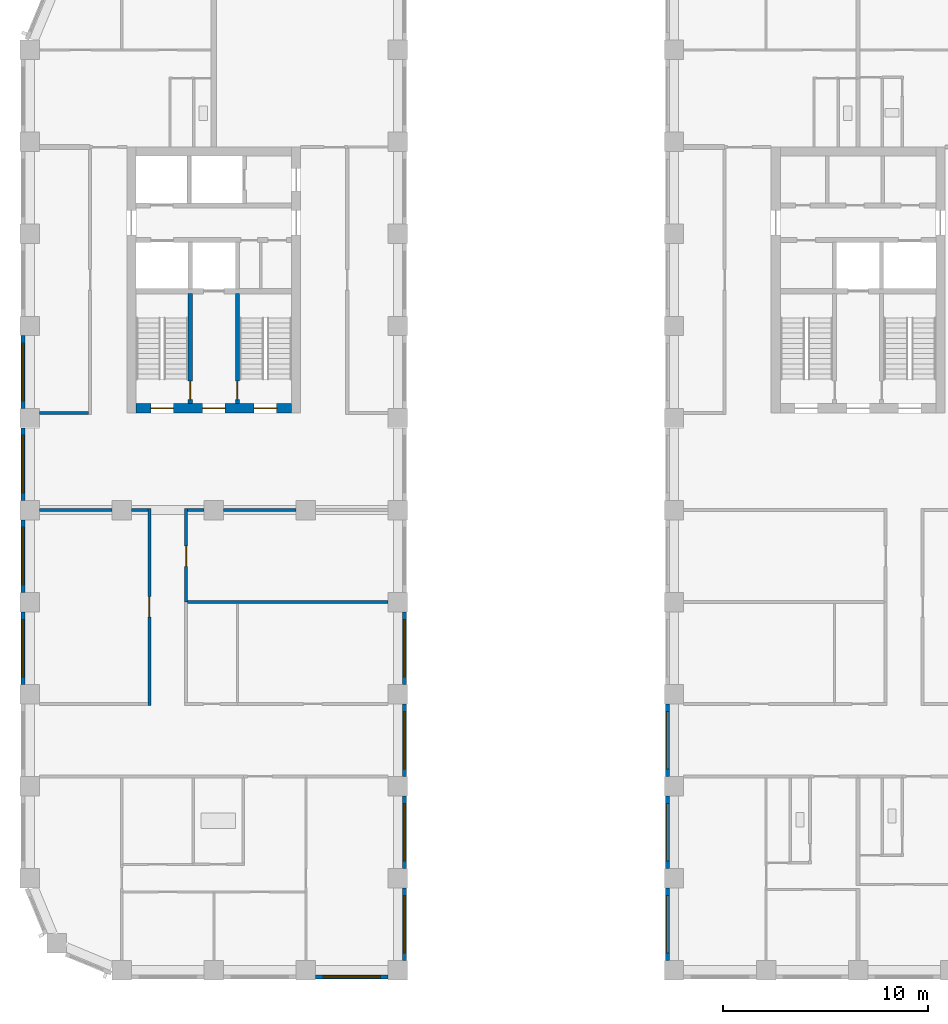
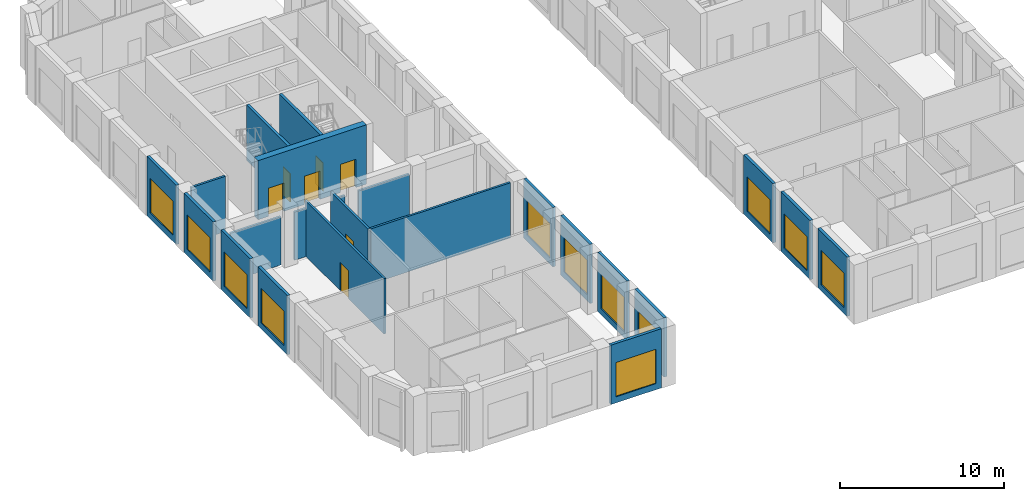
# One storey, part 3 of 12: 23 walls, 12 windows, 7 doors, 19 openings.
"""IFC4 building model written with IfcOpenShell, lengths in metres."""

from ifc_helpers import new_model, si_unit, direction, frame, frame_2d, origin, place, context, subcontext, project, spatial, rectangle, extrude, material, layer, layer_set, type_object, element, fill, save


model = new_model("IFC4")

# Units and contexts
model_context = context("Model", 3, precision=1e-05, world=origin(), true_north=direction((0.0, 1.0)))
body_context = subcontext(model_context, "Body", "Model", "MODEL_VIEW")
ifc_project = project(units=[si_unit("LENGTHUNIT", "METRE"), si_unit("AREAUNIT", "SQUARE_METRE"), si_unit("VOLUMEUNIT", "CUBIC_METRE"), si_unit("PLANEANGLEUNIT", "RADIAN"), si_unit("MASSUNIT", "GRAM", prefix="KILO")], contexts=[model_context])

# Site, building, storey
site_placement = place(None, origin())
site = spatial("IfcSite", under=ifc_project, at=site_placement, CompositionType="ELEMENT")
building_placement = place(site_placement, origin())
building = spatial("IfcBuilding", under=site, at=building_placement, Name="Girih Gate Residences", CompositionType="ELEMENT")
storey_placement = place(building_placement, frame((0.0, 0.0, 155.0)))
storey = spatial("IfcBuildingStorey", under=building, at=storey_placement, Name="L43", CompositionType="ELEMENT", Elevation=155.0)

# Walls
ifc_material_1 = material(Name="Gypsum board on steel studs", Category="steel")
ifc_layer_1 = layer(ifc_material_1, 0.14990234375)
ifc_layer_set_1 = layer_set([ifc_layer_1], Name="Compartment wall 150 mm")
wall_type_1 = type_object("IfcWallType", Name="Compartment wall 150 mm", PredefinedType="PARTITIONING", material=ifc_layer_set_1)
wall_1_placement = place(storey_placement, frame((7.72509765625, 22.5, 0.0), z_axis=(0.0, 0.0, 1.0), x_axis=(1.0, 0.0, 0.0)))
element("IfcWall", 1, at=wall_1_placement, inside=storey, type_object=wall_type_1, Name="L43 partition", PredefinedType="PARTITIONING", context=body_context, shape_type="SweptSolid", body=[
    extrude(rectangle(XDim=0.7998046875, YDim=0.14990234375, at=frame_2d((0.39990234375, 0.0))), origin(), (0.0, 0.0, 1.0), 3.580078125),
])
wall_2_placement = place(storey_placement, frame((9.47509765625, 22.5, 0.0), z_axis=(0.0, 0.0, 1.0), x_axis=(1.0, 0.0, 0.0)))
element("IfcWall", 2, at=wall_2_placement, inside=storey, type_object=wall_type_1, Name="L43 partition", PredefinedType="PARTITIONING", context=body_context, shape_type="SweptSolid", body=[
    extrude(rectangle(XDim=3.5498046875, YDim=0.14990234375, at=frame_2d((1.77490234375, 0.0))), origin(), (0.0, 0.0, 1.0), 3.580078125),
])

# Wall, opening, door
wall_3_placement = place(storey_placement, frame((7.64990234375, 22.574951171875, 0.0), z_axis=(0.0, 0.0, 1.0), x_axis=(0.0, -1.0, 0.0)))
wall_3 = element("IfcWall", 3, at=wall_3_placement, inside=storey, type_object=wall_type_1, Name="L43 partition", PredefinedType="PARTITIONING", context=body_context, shape_type="SweptSolid", body=[
    extrude(rectangle(XDim=4.574951171875, YDim=0.14990234375, at=frame_2d((2.28759765625, 0.0))), origin(), (0.0, 0.0, 1.0), 4.10009765625),
])
opening_1_placement = place(wall_3_placement, frame((1.824951171875, 0.0, 0.0)))
opening_1 = element("IfcOpeningElement", 4, at=opening_1_placement, cuts=wall_3, Name="Opening A43-034", PredefinedType="OPENING", context=body_context, shape_type="SweptSolid", body=[
    extrude(rectangle(XDim=1.0, YDim=2.10009765625, at=frame_2d((0.5, 1.050048828125))), frame((0.0, 0.0849609375, 0.0), z_axis=(0.0, -1.0, 0.0), x_axis=(1.0, 0.0, 0.0)), (0.0, 0.0, 1.0), 0.169921875),
])
ifc_material_2 = material(Name="Timber, fire-rated core", Category="wood")
door_type_1 = type_object("IfcDoorType", Name="Amenity room door 1000x2100 FD30S", OperationType="NOTDEFINED", PredefinedType="DOOR", material=ifc_material_2)
door_1_placement = place(opening_1_placement, origin())
door_1 = element("IfcDoor", 5, at=door_1_placement, inside=storey, type_object=door_type_1, Name="Door A43-034", OperationType="SINGLE_SWING_RIGHT", OverallHeight=2.10009765625, OverallWidth=1.0, PredefinedType="DOOR", context=body_context, shape_type="SweptSolid", body=[
    extrude(rectangle(XDim=1.0, YDim=2.10009765625, at=frame_2d((0.5, 1.050048828125))), frame((0.0, 0.02490234375, 0.0), z_axis=(0.0, -1.0, 0.0), x_axis=(1.0, 0.0, 0.0)), (0.0, 0.0, 1.0), 0.050048828125),
])
fill(opening_1, door_1)

# Walls
wall_4_placement = place(storey_placement, frame((7.72509765625, 18.0, 0.0), z_axis=(0.0, 0.0, 1.0), x_axis=(1.0, 0.0, 0.0)))
element("IfcWall", 6, at=wall_4_placement, inside=storey, type_object=wall_type_1, Name="L43 partition", PredefinedType="PARTITIONING", context=body_context, shape_type="SweptSolid", body=[
    extrude(rectangle(XDim=9.7998046875, YDim=0.14990234375, at=frame_2d((4.89990234375, 0.0))), origin(), (0.0, 0.0, 1.0), 4.10009765625),
])
wall_5_placement = place(storey_placement, frame((0.47509765625, 27.25, 0.0), z_axis=(0.0, 0.0, 1.0), x_axis=(1.0, 0.0, 0.0)))
element("IfcWall", 7, at=wall_5_placement, inside=storey, type_object=wall_type_1, Name="L43 partition", PredefinedType="PARTITIONING", context=body_context, shape_type="SweptSolid", body=[
    extrude(rectangle(XDim=2.39990234375, YDim=0.14990234375, at=frame_2d((1.199951171875, 0.0))), origin(), (0.0, 0.0, 1.0), 4.10009765625),
])
wall_6_placement = place(storey_placement, frame((4.97509765625, 22.5, 0.0), z_axis=(0.0, 0.0, 1.0), x_axis=(1.0, 0.0, 0.0)))
element("IfcWall", 8, at=wall_6_placement, inside=storey, type_object=wall_type_1, Name="L43 partition", PredefinedType="PARTITIONING", context=body_context, shape_type="SweptSolid", body=[
    extrude(rectangle(XDim=0.7998046875, YDim=0.14990234375, at=frame_2d((0.39990234375, 0.0))), origin(), (0.0, 0.0, 1.0), 3.580078125),
])
wall_7_placement = place(storey_placement, frame((0.47509765625, 22.5, 0.0), z_axis=(0.0, 0.0, 1.0), x_axis=(1.0, 0.0, 0.0)))
element("IfcWall", 9, at=wall_7_placement, inside=storey, type_object=wall_type_1, Name="L43 partition", PredefinedType="PARTITIONING", context=body_context, shape_type="SweptSolid", body=[
    extrude(rectangle(XDim=3.5498046875, YDim=0.14990234375, at=frame_2d((1.77490234375, 0.0))), origin(), (0.0, 0.0, 1.0), 3.580078125),
])

# Wall, opening, door
wall_8_placement = place(storey_placement, frame((5.85009765625, 12.949951171875, 0.0), z_axis=(0.0, 0.0, 1.0), x_axis=(0.0, 1.0, 0.0)))
wall_8 = element("IfcWall", 10, at=wall_8_placement, inside=storey, type_object=wall_type_1, Name="L43 partition", PredefinedType="PARTITIONING", context=body_context, shape_type="SweptSolid", body=[
    extrude(rectangle(XDim=9.625, YDim=0.14990234375, at=frame_2d((4.8125, 0.0))), origin(), (0.0, 0.0, 1.0), 4.10009765625),
])
opening_2_placement = place(wall_8_placement, frame((4.3125, 0.0, 0.0)))
opening_2 = element("IfcOpeningElement", 11, at=opening_2_placement, cuts=wall_8, Name="Opening A43-045", PredefinedType="OPENING", context=body_context, shape_type="SweptSolid", body=[
    extrude(rectangle(XDim=1.0, YDim=2.10009765625, at=frame_2d((0.5, 1.050048828125))), frame((0.0, 0.0849609375, 0.0), z_axis=(0.0, -1.0, 0.0), x_axis=(1.0, 0.0, 0.0)), (0.0, 0.0, 1.0), 0.169921875),
])
door_2_placement = place(opening_2_placement, origin())
door_2 = element("IfcDoor", 12, at=door_2_placement, inside=storey, type_object=door_type_1, Name="Door A43-045", OperationType="SINGLE_SWING_RIGHT", OverallHeight=2.10009765625, OverallWidth=1.0, PredefinedType="DOOR", context=body_context, shape_type="SweptSolid", body=[
    extrude(rectangle(XDim=1.0, YDim=2.10009765625, at=frame_2d((0.5, 1.050048828125))), frame((0.0, 0.02490234375, 0.0), z_axis=(0.0, -1.0, 0.0), x_axis=(1.0, 0.0, 0.0)), (0.0, 0.0, 1.0), 0.050048828125),
])
fill(opening_2, door_2)

# Wall, openings, doors
ifc_material_3 = material(Name="Concrete C60/75", Category="concrete")
ifc_layer_2 = layer(ifc_material_3, 0.449951171875)
ifc_layer_set_2 = layer_set([ifc_layer_2], Name="Core wall RC 450 Concrete C60/75")
wall_type_2 = type_object("IfcWallType", Name="Core wall RC 450 Concrete C60/75", PredefinedType="SOLIDWALL", material=ifc_layer_set_2)
wall_9_placement = place(storey_placement, frame((5.199951171875, 27.47509765625, 0.0), z_axis=(0.0, 0.0, 1.0), x_axis=(1.0, 0.0, 0.0)))
wall_9 = element("IfcWall", 13, at=wall_9_placement, inside=storey, type_object=wall_type_2, Name="Core wall W-S L43", PredefinedType="SOLIDWALL", context=body_context, shape_type="SweptSolid", body=[
    extrude(rectangle(XDim=7.60009765625, YDim=0.449951171875, at=frame_2d((3.800048828125, 0.0))), origin(), (0.0, 0.0, 1.0), 4.39990234375),
])
opening_3_placement = place(wall_9_placement, frame((0.72509765625, 0.0, 0.0)))
opening_3 = element("IfcOpeningElement", 14, at=opening_3_placement, cuts=wall_9, Name="Opening D-L43-W-009", PredefinedType="OPENING", context=body_context, shape_type="SweptSolid", body=[
    extrude(rectangle(XDim=1.10009765625, YDim=2.10009765625, at=frame_2d((0.550048828125, 1.050048828125))), frame((0.0, 0.23486328125, 0.0), z_axis=(0.0, -1.0, 0.0), x_axis=(1.0, 0.0, 0.0)), (0.0, 0.0, 1.0), 0.469970703125),
])
opening_4_placement = place(wall_9_placement, frame((3.25, 0.0, 0.0)))
opening_4 = element("IfcOpeningElement", 15, at=opening_4_placement, cuts=wall_9, Name="Opening D-L43-W-010", PredefinedType="OPENING", context=body_context, shape_type="SweptSolid", body=[
    extrude(rectangle(XDim=1.10009765625, YDim=2.10009765625, at=frame_2d((0.550048828125, 1.050048828125))), frame((0.0, 0.23486328125, 0.0), z_axis=(0.0, -1.0, 0.0), x_axis=(1.0, 0.0, 0.0)), (0.0, 0.0, 1.0), 0.469970703125),
])
opening_5_placement = place(wall_9_placement, frame((5.77490234375, 0.0, 0.0)))
opening_5 = element("IfcOpeningElement", 16, at=opening_5_placement, cuts=wall_9, Name="Opening D-L43-W-011", PredefinedType="OPENING", context=body_context, shape_type="SweptSolid", body=[
    extrude(rectangle(XDim=1.10009765625, YDim=2.10009765625, at=frame_2d((0.550048828125, 1.050048828125))), frame((0.0, 0.23486328125, 0.0), z_axis=(0.0, -1.0, 0.0), x_axis=(1.0, 0.0, 0.0)), (0.0, 0.0, 1.0), 0.469970703125),
])
ifc_material_4 = material(Name="Painted steel, fire-resisting", Category="steel")
door_type_2 = type_object("IfcDoorType", Name="Fire door 1100x2100", OperationType="SINGLE_SWING_LEFT", PredefinedType="DOOR", material=ifc_material_4)
door_3_placement = place(opening_3_placement, origin())
door_3 = element("IfcDoor", 17, at=door_3_placement, inside=storey, type_object=door_type_2, Name="L43 W core door sta-out", OperationType="SINGLE_SWING_LEFT", OverallHeight=2.10009765625, OverallWidth=1.10009765625, PredefinedType="DOOR", context=body_context, shape_type="SweptSolid", body=[
    extrude(rectangle(XDim=1.10009765625, YDim=2.10009765625, at=frame_2d((0.550048828125, 1.050048828125))), frame((0.0, 0.02490234375, 0.0), z_axis=(0.0, -1.0, 0.0), x_axis=(1.0, 0.0, 0.0)), (0.0, 0.0, 1.0), 0.050048828125),
])
fill(opening_3, door_3)
door_4_placement = place(opening_4_placement, origin())
door_4 = element("IfcDoor", 18, at=door_4_placement, inside=storey, type_object=door_type_2, Name="L43 W core door ffl-out", OperationType="SINGLE_SWING_LEFT", OverallHeight=2.10009765625, OverallWidth=1.10009765625, PredefinedType="DOOR", context=body_context, shape_type="SweptSolid", body=[
    extrude(rectangle(XDim=1.10009765625, YDim=2.10009765625, at=frame_2d((0.550048828125, 1.050048828125))), frame((0.0, 0.02490234375, 0.0), z_axis=(0.0, -1.0, 0.0), x_axis=(1.0, 0.0, 0.0)), (0.0, 0.0, 1.0), 0.050048828125),
])
fill(opening_4, door_4)
door_5_placement = place(opening_5_placement, origin())
door_5 = element("IfcDoor", 19, at=door_5_placement, inside=storey, type_object=door_type_2, Name="L43 W core door stb-out", OperationType="SINGLE_SWING_LEFT", OverallHeight=2.10009765625, OverallWidth=1.10009765625, PredefinedType="DOOR", context=body_context, shape_type="SweptSolid", body=[
    extrude(rectangle(XDim=1.10009765625, YDim=2.10009765625, at=frame_2d((0.550048828125, 1.050048828125))), frame((0.0, 0.02490234375, 0.0), z_axis=(0.0, -1.0, 0.0), x_axis=(1.0, 0.0, 0.0)), (0.0, 0.0, 1.0), 0.050048828125),
])
fill(opening_5, door_5)

# Wall, opening, window
ifc_material_5 = material(Name="Precast concrete C50/60", Category="concrete")
ifc_layer_3 = layer(ifc_material_5, 0.06005859375, Name="Outer leaf")
ifc_material_6 = material(Name="Rigid PIR insulation")
ifc_layer_4 = layer(ifc_material_6, 0.090087890625, Name="Insulation")
ifc_material_7 = material(Name="Precast concrete C40/50", Category="concrete")
ifc_layer_5 = layer(ifc_material_7, 0.050048828125, Name="Inner leaf")
ifc_layer_set_3 = layer_set([ifc_layer_3, ifc_layer_4, ifc_layer_5], Name="Precast concrete C50/60 external wall 200")
wall_type_3 = type_object("IfcWallType", Name="Precast concrete C50/60 external wall 200", PredefinedType="SOLIDWALL", material=ifc_layer_set_3)
wall_10_placement = place(storey_placement, frame((-0.324951171875, 27.47509765625, 0.0), z_axis=(0.0, 0.0, 1.0), x_axis=(0.0, 1.0, 0.0)))
wall_10 = element("IfcWall", 20, at=wall_10_placement, inside=storey, type_object=wall_type_3, Name="External wall W0000_0450.3", PredefinedType="SOLIDWALL", context=body_context, shape_type="SweptSolid", body=[
    extrude(rectangle(XDim=3.5498046875, YDim=0.199951171875, at=frame_2d((1.77490234375, 0.0))), origin(), (0.0, 0.0, 1.0), 4.39990234375),
])
opening_6_placement = place(wall_10_placement, frame((0.375, 0.0, 0.449951171875)))
opening_6 = element("IfcOpeningElement", 21, at=opening_6_placement, cuts=wall_10, Name="Opening W-6A", PredefinedType="OPENING", context=body_context, shape_type="SweptSolid", body=[
    extrude(rectangle(XDim=2.800048828125, YDim=2.550048828125, at=frame_2d((1.39990234375, 1.27490234375))), frame((0.0, 0.10986328125, 0.0), z_axis=(0.0, -1.0, 0.0), x_axis=(1.0, 0.0, 0.0)), (0.0, 0.0, 1.0), 0.219970703125),
])
ifc_material_8 = material(Name="Double glazing in aluminium frame", Category="aluminium")
window_type = type_object("IfcWindowType", Name="Window W-6A 2800x2550", PartitioningType="SINGLE_PANEL", PredefinedType="WINDOW", material=ifc_material_8)
window_1_placement = place(opening_6_placement, origin())
window_1 = element("IfcWindow", 22, at=window_1_placement, inside=storey, type_object=window_type, Name="Window W-6A W0000_0450.3", OverallHeight=2.550048828125, OverallWidth=2.800048828125, PartitioningType="SINGLE_PANEL", PredefinedType="WINDOW", context=body_context, shape_type="SweptSolid", body=[
    extrude(rectangle(XDim=2.800048828125, YDim=2.550048828125, at=frame_2d((1.39990234375, 1.27490234375))), frame((0.0, 0.030029296875, 0.0), z_axis=(0.0, -1.0, 0.0), x_axis=(1.0, 0.0, 0.0)), (0.0, 0.0, 1.0), 0.06005859375),
])
fill(opening_6, window_1)

wall_11_placement = place(storey_placement, frame((-0.324951171875, 22.97509765625, 0.0), z_axis=(0.0, 0.0, 1.0), x_axis=(0.0, 1.0, 0.0)))
wall_11 = element("IfcWall", 23, at=wall_11_placement, inside=storey, type_object=wall_type_3, Name="External wall W0000_0450.4", PredefinedType="SOLIDWALL", context=body_context, shape_type="SweptSolid", body=[
    extrude(rectangle(XDim=3.5498046875, YDim=0.199951171875, at=frame_2d((1.77490234375, 0.0))), origin(), (0.0, 0.0, 1.0), 4.39990234375),
])
opening_7_placement = place(wall_11_placement, frame((0.375, 0.0, 0.449951171875)))
opening_7 = element("IfcOpeningElement", 24, at=opening_7_placement, cuts=wall_11, Name="Opening W-6A", PredefinedType="OPENING", context=body_context, shape_type="SweptSolid", body=[
    extrude(rectangle(XDim=2.800048828125, YDim=2.550048828125, at=frame_2d((1.39990234375, 1.27490234375))), frame((0.0, 0.10986328125, 0.0), z_axis=(0.0, -1.0, 0.0), x_axis=(1.0, 0.0, 0.0)), (0.0, 0.0, 1.0), 0.219970703125),
])
window_2_placement = place(opening_7_placement, origin())
window_2 = element("IfcWindow", 25, at=window_2_placement, inside=storey, type_object=window_type, Name="Window W-6A W0000_0450.4", OverallHeight=2.550048828125, OverallWidth=2.800048828125, PartitioningType="SINGLE_PANEL", PredefinedType="WINDOW", context=body_context, shape_type="SweptSolid", body=[
    extrude(rectangle(XDim=2.800048828125, YDim=2.550048828125, at=frame_2d((1.39990234375, 1.27490234375))), frame((0.0, 0.030029296875, 0.0), z_axis=(0.0, -1.0, 0.0), x_axis=(1.0, 0.0, 0.0)), (0.0, 0.0, 1.0), 0.06005859375),
])
fill(opening_7, window_2)

wall_12_placement = place(storey_placement, frame((-0.324951171875, 18.47509765625, 0.0), z_axis=(0.0, 0.0, 1.0), x_axis=(0.0, 1.0, 0.0)))
wall_12 = element("IfcWall", 26, at=wall_12_placement, inside=storey, type_object=wall_type_3, Name="External wall W0000_0450.5", PredefinedType="SOLIDWALL", context=body_context, shape_type="SweptSolid", body=[
    extrude(rectangle(XDim=3.5498046875, YDim=0.199951171875, at=frame_2d((1.77490234375, 0.0))), origin(), (0.0, 0.0, 1.0), 4.39990234375),
])
opening_8_placement = place(wall_12_placement, frame((0.375, 0.0, 0.449951171875)))
opening_8 = element("IfcOpeningElement", 27, at=opening_8_placement, cuts=wall_12, Name="Opening W-6A", PredefinedType="OPENING", context=body_context, shape_type="SweptSolid", body=[
    extrude(rectangle(XDim=2.800048828125, YDim=2.550048828125, at=frame_2d((1.39990234375, 1.27490234375))), frame((0.0, 0.10986328125, 0.0), z_axis=(0.0, -1.0, 0.0), x_axis=(1.0, 0.0, 0.0)), (0.0, 0.0, 1.0), 0.219970703125),
])
window_3_placement = place(opening_8_placement, origin())
window_3 = element("IfcWindow", 28, at=window_3_placement, inside=storey, type_object=window_type, Name="Window W-6A W0000_0450.5", OverallHeight=2.550048828125, OverallWidth=2.800048828125, PartitioningType="SINGLE_PANEL", PredefinedType="WINDOW", context=body_context, shape_type="SweptSolid", body=[
    extrude(rectangle(XDim=2.800048828125, YDim=2.550048828125, at=frame_2d((1.39990234375, 1.27490234375))), frame((0.0, 0.030029296875, 0.0), z_axis=(0.0, -1.0, 0.0), x_axis=(1.0, 0.0, 0.0)), (0.0, 0.0, 1.0), 0.06005859375),
])
fill(opening_8, window_3)

wall_13_placement = place(storey_placement, frame((-0.324951171875, 13.97509765625, 0.0), z_axis=(0.0, 0.0, 1.0), x_axis=(0.0, 1.0, 0.0)))
wall_13 = element("IfcWall", 29, at=wall_13_placement, inside=storey, type_object=wall_type_3, Name="External wall W0000_0450.6", PredefinedType="SOLIDWALL", context=body_context, shape_type="SweptSolid", body=[
    extrude(rectangle(XDim=3.5498046875, YDim=0.199951171875, at=frame_2d((1.77490234375, 0.0))), origin(), (0.0, 0.0, 1.0), 4.39990234375),
])
opening_9_placement = place(wall_13_placement, frame((0.375, 0.0, 0.449951171875)))
opening_9 = element("IfcOpeningElement", 30, at=opening_9_placement, cuts=wall_13, Name="Opening W-6A", PredefinedType="OPENING", context=body_context, shape_type="SweptSolid", body=[
    extrude(rectangle(XDim=2.800048828125, YDim=2.550048828125, at=frame_2d((1.39990234375, 1.27490234375))), frame((0.0, 0.10986328125, 0.0), z_axis=(0.0, -1.0, 0.0), x_axis=(1.0, 0.0, 0.0)), (0.0, 0.0, 1.0), 0.219970703125),
])
window_4_placement = place(opening_9_placement, origin())
window_4 = element("IfcWindow", 31, at=window_4_placement, inside=storey, type_object=window_type, Name="Window W-6A W0000_0450.6", OverallHeight=2.550048828125, OverallWidth=2.800048828125, PartitioningType="SINGLE_PANEL", PredefinedType="WINDOW", context=body_context, shape_type="SweptSolid", body=[
    extrude(rectangle(XDim=2.800048828125, YDim=2.550048828125, at=frame_2d((1.39990234375, 1.27490234375))), frame((0.0, 0.030029296875, 0.0), z_axis=(0.0, -1.0, 0.0), x_axis=(1.0, 0.0, 0.0)), (0.0, 0.0, 1.0), 0.06005859375),
])
fill(opening_9, window_4)

wall_14_placement = place(storey_placement, frame((17.52490234375, -0.324951171875, 0.0), z_axis=(0.0, 0.0, 1.0), x_axis=(-1.0, 0.0, 0.0)))
wall_14 = element("IfcWall", 32, at=wall_14_placement, inside=storey, type_object=wall_type_3, Name="External wall S0045_0000.2", PredefinedType="SOLIDWALL", context=body_context, shape_type="SweptSolid", body=[
    extrude(rectangle(XDim=3.5498046875, YDim=0.199951171875, at=frame_2d((1.77490234375, 0.0))), origin(), (0.0, 0.0, 1.0), 4.39990234375),
])
opening_10_placement = place(wall_14_placement, frame((0.375, 0.0, 0.449951171875)))
opening_10 = element("IfcOpeningElement", 33, at=opening_10_placement, cuts=wall_14, Name="Opening W-6A", PredefinedType="OPENING", context=body_context, shape_type="SweptSolid", body=[
    extrude(rectangle(XDim=2.800048828125, YDim=2.550048828125, at=frame_2d((1.39990234375, 1.27490234375))), frame((0.0, 0.10986328125, 0.0), z_axis=(0.0, -1.0, 0.0), x_axis=(1.0, 0.0, 0.0)), (0.0, 0.0, 1.0), 0.219970703125),
])
window_5_placement = place(opening_10_placement, origin())
window_5 = element("IfcWindow", 34, at=window_5_placement, inside=storey, type_object=window_type, Name="Window W-6A S0045_0000.2", OverallHeight=2.550048828125, OverallWidth=2.800048828125, PartitioningType="SINGLE_PANEL", PredefinedType="WINDOW", context=body_context, shape_type="SweptSolid", body=[
    extrude(rectangle(XDim=2.800048828125, YDim=2.550048828125, at=frame_2d((1.39990234375, 1.27490234375))), frame((0.0, 0.030029296875, 0.0), z_axis=(0.0, -1.0, 0.0), x_axis=(1.0, 0.0, 0.0)), (0.0, 0.0, 1.0), 0.06005859375),
])
fill(opening_10, window_5)

wall_15_placement = place(storey_placement, frame((18.324951171875, 4.02490234375, 0.0), z_axis=(0.0, 0.0, 1.0), x_axis=(0.0, -1.0, 0.0)))
wall_15 = element("IfcWall", 35, at=wall_15_placement, inside=storey, type_object=wall_type_3, Name="External wall E0180_0000.0", PredefinedType="SOLIDWALL", context=body_context, shape_type="SweptSolid", body=[
    extrude(rectangle(XDim=3.5498046875, YDim=0.199951171875, at=frame_2d((1.77490234375, 0.0))), origin(), (0.0, 0.0, 1.0), 4.39990234375),
])
opening_11_placement = place(wall_15_placement, frame((0.375, 0.0, 0.449951171875)))
opening_11 = element("IfcOpeningElement", 36, at=opening_11_placement, cuts=wall_15, Name="Opening W-6A", PredefinedType="OPENING", context=body_context, shape_type="SweptSolid", body=[
    extrude(rectangle(XDim=2.800048828125, YDim=2.550048828125, at=frame_2d((1.39990234375, 1.27490234375))), frame((0.0, 0.10986328125, 0.0), z_axis=(0.0, -1.0, 0.0), x_axis=(1.0, 0.0, 0.0)), (0.0, 0.0, 1.0), 0.219970703125),
])
window_6_placement = place(opening_11_placement, origin())
window_6 = element("IfcWindow", 37, at=window_6_placement, inside=storey, type_object=window_type, Name="Window W-6A E0180_0000.0", OverallHeight=2.550048828125, OverallWidth=2.800048828125, PartitioningType="SINGLE_PANEL", PredefinedType="WINDOW", context=body_context, shape_type="SweptSolid", body=[
    extrude(rectangle(XDim=2.800048828125, YDim=2.550048828125, at=frame_2d((1.39990234375, 1.27490234375))), frame((0.0, 0.030029296875, 0.0), z_axis=(0.0, -1.0, 0.0), x_axis=(1.0, 0.0, 0.0)), (0.0, 0.0, 1.0), 0.06005859375),
])
fill(opening_11, window_6)

wall_16_placement = place(storey_placement, frame((18.324951171875, 8.52490234375, 0.0), z_axis=(0.0, 0.0, 1.0), x_axis=(0.0, -1.0, 0.0)))
wall_16 = element("IfcWall", 38, at=wall_16_placement, inside=storey, type_object=wall_type_3, Name="External wall E0180_0000.1", PredefinedType="SOLIDWALL", context=body_context, shape_type="SweptSolid", body=[
    extrude(rectangle(XDim=3.5498046875, YDim=0.199951171875, at=frame_2d((1.77490234375, 0.0))), origin(), (0.0, 0.0, 1.0), 4.39990234375),
])
opening_12_placement = place(wall_16_placement, frame((0.375, 0.0, 0.449951171875)))
opening_12 = element("IfcOpeningElement", 39, at=opening_12_placement, cuts=wall_16, Name="Opening W-6A", PredefinedType="OPENING", context=body_context, shape_type="SweptSolid", body=[
    extrude(rectangle(XDim=2.800048828125, YDim=2.550048828125, at=frame_2d((1.39990234375, 1.27490234375))), frame((0.0, 0.10986328125, 0.0), z_axis=(0.0, -1.0, 0.0), x_axis=(1.0, 0.0, 0.0)), (0.0, 0.0, 1.0), 0.219970703125),
])
window_7_placement = place(opening_12_placement, origin())
window_7 = element("IfcWindow", 40, at=window_7_placement, inside=storey, type_object=window_type, Name="Window W-6A E0180_0000.1", OverallHeight=2.550048828125, OverallWidth=2.800048828125, PartitioningType="SINGLE_PANEL", PredefinedType="WINDOW", context=body_context, shape_type="SweptSolid", body=[
    extrude(rectangle(XDim=2.800048828125, YDim=2.550048828125, at=frame_2d((1.39990234375, 1.27490234375))), frame((0.0, 0.030029296875, 0.0), z_axis=(0.0, -1.0, 0.0), x_axis=(1.0, 0.0, 0.0)), (0.0, 0.0, 1.0), 0.06005859375),
])
fill(opening_12, window_7)

wall_17_placement = place(storey_placement, frame((18.324951171875, 13.02490234375, 0.0), z_axis=(0.0, 0.0, 1.0), x_axis=(0.0, -1.0, 0.0)))
wall_17 = element("IfcWall", 41, at=wall_17_placement, inside=storey, type_object=wall_type_3, Name="External wall E0180_0000.2", PredefinedType="SOLIDWALL", context=body_context, shape_type="SweptSolid", body=[
    extrude(rectangle(XDim=3.5498046875, YDim=0.199951171875, at=frame_2d((1.77490234375, 0.0))), origin(), (0.0, 0.0, 1.0), 4.39990234375),
])
opening_13_placement = place(wall_17_placement, frame((0.375, 0.0, 0.449951171875)))
opening_13 = element("IfcOpeningElement", 42, at=opening_13_placement, cuts=wall_17, Name="Opening W-6A", PredefinedType="OPENING", context=body_context, shape_type="SweptSolid", body=[
    extrude(rectangle(XDim=2.800048828125, YDim=2.550048828125, at=frame_2d((1.39990234375, 1.27490234375))), frame((0.0, 0.10986328125, 0.0), z_axis=(0.0, -1.0, 0.0), x_axis=(1.0, 0.0, 0.0)), (0.0, 0.0, 1.0), 0.219970703125),
])
window_8_placement = place(opening_13_placement, origin())
window_8 = element("IfcWindow", 43, at=window_8_placement, inside=storey, type_object=window_type, Name="Window W-6A E0180_0000.2", OverallHeight=2.550048828125, OverallWidth=2.800048828125, PartitioningType="SINGLE_PANEL", PredefinedType="WINDOW", context=body_context, shape_type="SweptSolid", body=[
    extrude(rectangle(XDim=2.800048828125, YDim=2.550048828125, at=frame_2d((1.39990234375, 1.27490234375))), frame((0.0, 0.030029296875, 0.0), z_axis=(0.0, -1.0, 0.0), x_axis=(1.0, 0.0, 0.0)), (0.0, 0.0, 1.0), 0.06005859375),
])
fill(opening_13, window_8)

wall_18_placement = place(storey_placement, frame((18.324951171875, 17.52490234375, 0.0), z_axis=(0.0, 0.0, 1.0), x_axis=(0.0, -1.0, 0.0)))
wall_18 = element("IfcWall", 44, at=wall_18_placement, inside=storey, type_object=wall_type_3, Name="External wall E0180_0000.3", PredefinedType="SOLIDWALL", context=body_context, shape_type="SweptSolid", body=[
    extrude(rectangle(XDim=3.5498046875, YDim=0.199951171875, at=frame_2d((1.77490234375, 0.0))), origin(), (0.0, 0.0, 1.0), 4.39990234375),
])
opening_14_placement = place(wall_18_placement, frame((0.375, 0.0, 0.449951171875)))
opening_14 = element("IfcOpeningElement", 45, at=opening_14_placement, cuts=wall_18, Name="Opening W-6A", PredefinedType="OPENING", context=body_context, shape_type="SweptSolid", body=[
    extrude(rectangle(XDim=2.800048828125, YDim=2.550048828125, at=frame_2d((1.39990234375, 1.27490234375))), frame((0.0, 0.10986328125, 0.0), z_axis=(0.0, -1.0, 0.0), x_axis=(1.0, 0.0, 0.0)), (0.0, 0.0, 1.0), 0.219970703125),
])
window_9_placement = place(opening_14_placement, origin())
window_9 = element("IfcWindow", 46, at=window_9_placement, inside=storey, type_object=window_type, Name="Window W-6A E0180_0000.3", OverallHeight=2.550048828125, OverallWidth=2.800048828125, PartitioningType="SINGLE_PANEL", PredefinedType="WINDOW", context=body_context, shape_type="SweptSolid", body=[
    extrude(rectangle(XDim=2.800048828125, YDim=2.550048828125, at=frame_2d((1.39990234375, 1.27490234375))), frame((0.0, 0.030029296875, 0.0), z_axis=(0.0, -1.0, 0.0), x_axis=(1.0, 0.0, 0.0)), (0.0, 0.0, 1.0), 0.06005859375),
])
fill(opening_14, window_9)

wall_19_placement = place(storey_placement, frame((31.175048828125, 9.47509765625, 0.0), z_axis=(0.0, 0.0, 1.0), x_axis=(0.0, 1.0, 0.0)))
wall_19 = element("IfcWall", 47, at=wall_19_placement, inside=storey, type_object=wall_type_3, Name="External wall W0315_0495.8", PredefinedType="SOLIDWALL", context=body_context, shape_type="SweptSolid", body=[
    extrude(rectangle(XDim=3.5498046875, YDim=0.199951171875, at=frame_2d((1.77490234375, 0.0))), origin(), (0.0, 0.0, 1.0), 4.39990234375),
])
opening_15_placement = place(wall_19_placement, frame((0.375, 0.0, 0.449951171875)))
opening_15 = element("IfcOpeningElement", 48, at=opening_15_placement, cuts=wall_19, Name="Opening W-6A", PredefinedType="OPENING", context=body_context, shape_type="SweptSolid", body=[
    extrude(rectangle(XDim=2.800048828125, YDim=2.550048828125, at=frame_2d((1.39990234375, 1.27490234375))), frame((0.0, 0.10986328125, 0.0), z_axis=(0.0, -1.0, 0.0), x_axis=(1.0, 0.0, 0.0)), (0.0, 0.0, 1.0), 0.219970703125),
])
window_10_placement = place(opening_15_placement, origin())
window_10 = element("IfcWindow", 49, at=window_10_placement, inside=storey, type_object=window_type, Name="Window W-6A W0315_0495.8", OverallHeight=2.550048828125, OverallWidth=2.800048828125, PartitioningType="SINGLE_PANEL", PredefinedType="WINDOW", context=body_context, shape_type="SweptSolid", body=[
    extrude(rectangle(XDim=2.800048828125, YDim=2.550048828125, at=frame_2d((1.39990234375, 1.27490234375))), frame((0.0, 0.030029296875, 0.0), z_axis=(0.0, -1.0, 0.0), x_axis=(1.0, 0.0, 0.0)), (0.0, 0.0, 1.0), 0.06005859375),
])
fill(opening_15, window_10)

wall_20_placement = place(storey_placement, frame((31.175048828125, 4.97509765625, 0.0), z_axis=(0.0, 0.0, 1.0), x_axis=(0.0, 1.0, 0.0)))
wall_20 = element("IfcWall", 50, at=wall_20_placement, inside=storey, type_object=wall_type_3, Name="External wall W0315_0495.9", PredefinedType="SOLIDWALL", context=body_context, shape_type="SweptSolid", body=[
    extrude(rectangle(XDim=3.5498046875, YDim=0.199951171875, at=frame_2d((1.77490234375, 0.0))), origin(), (0.0, 0.0, 1.0), 4.39990234375),
])
opening_16_placement = place(wall_20_placement, frame((0.375, 0.0, 0.449951171875)))
opening_16 = element("IfcOpeningElement", 51, at=opening_16_placement, cuts=wall_20, Name="Opening W-6A", PredefinedType="OPENING", context=body_context, shape_type="SweptSolid", body=[
    extrude(rectangle(XDim=2.800048828125, YDim=2.550048828125, at=frame_2d((1.39990234375, 1.27490234375))), frame((0.0, 0.10986328125, 0.0), z_axis=(0.0, -1.0, 0.0), x_axis=(1.0, 0.0, 0.0)), (0.0, 0.0, 1.0), 0.219970703125),
])
window_11_placement = place(opening_16_placement, origin())
window_11 = element("IfcWindow", 52, at=window_11_placement, inside=storey, type_object=window_type, Name="Window W-6A W0315_0495.9", OverallHeight=2.550048828125, OverallWidth=2.800048828125, PartitioningType="SINGLE_PANEL", PredefinedType="WINDOW", context=body_context, shape_type="SweptSolid", body=[
    extrude(rectangle(XDim=2.800048828125, YDim=2.550048828125, at=frame_2d((1.39990234375, 1.27490234375))), frame((0.0, 0.030029296875, 0.0), z_axis=(0.0, -1.0, 0.0), x_axis=(1.0, 0.0, 0.0)), (0.0, 0.0, 1.0), 0.06005859375),
])
fill(opening_16, window_11)

wall_21_placement = place(storey_placement, frame((31.175048828125, 0.47509765625, 0.0), z_axis=(0.0, 0.0, 1.0), x_axis=(0.0, 1.0, 0.0)))
wall_21 = element("IfcWall", 53, at=wall_21_placement, inside=storey, type_object=wall_type_3, Name="External wall W0315_0495.10", PredefinedType="SOLIDWALL", context=body_context, shape_type="SweptSolid", body=[
    extrude(rectangle(XDim=3.5498046875, YDim=0.199951171875, at=frame_2d((1.77490234375, 0.0))), origin(), (0.0, 0.0, 1.0), 4.39990234375),
])
opening_17_placement = place(wall_21_placement, frame((0.375, 0.0, 0.449951171875)))
opening_17 = element("IfcOpeningElement", 54, at=opening_17_placement, cuts=wall_21, Name="Opening W-6A", PredefinedType="OPENING", context=body_context, shape_type="SweptSolid", body=[
    extrude(rectangle(XDim=2.800048828125, YDim=2.550048828125, at=frame_2d((1.39990234375, 1.27490234375))), frame((0.0, 0.10986328125, 0.0), z_axis=(0.0, -1.0, 0.0), x_axis=(1.0, 0.0, 0.0)), (0.0, 0.0, 1.0), 0.219970703125),
])
window_12_placement = place(opening_17_placement, origin())
window_12 = element("IfcWindow", 55, at=window_12_placement, inside=storey, type_object=window_type, Name="Window W-6A W0315_0495.10", OverallHeight=2.550048828125, OverallWidth=2.800048828125, PartitioningType="SINGLE_PANEL", PredefinedType="WINDOW", context=body_context, shape_type="SweptSolid", body=[
    extrude(rectangle(XDim=2.800048828125, YDim=2.550048828125, at=frame_2d((1.39990234375, 1.27490234375))), frame((0.0, 0.030029296875, 0.0), z_axis=(0.0, -1.0, 0.0), x_axis=(1.0, 0.0, 0.0)), (0.0, 0.0, 1.0), 0.06005859375),
])
fill(opening_17, window_12)

# Wall, opening, door
ifc_material_9 = material(Name="Concrete C40/50", Category="concrete")
ifc_layer_6 = layer(ifc_material_9, 0.199951171875)
ifc_layer_set_4 = layer_set([ifc_layer_6], Name="Shaft wall 200")
wall_type_4 = type_object("IfcWallType", Name="Shaft wall 200", PredefinedType="SOLIDWALL", material=ifc_layer_set_4)
wall_22_placement = place(storey_placement, frame((7.85009765625, 27.699951171875, 0.0), z_axis=(0.0, 0.0, 1.0), x_axis=(0.0, 1.0, 0.0)))
wall_22 = element("IfcWall", 56, at=wall_22_placement, inside=storey, type_object=wall_type_4, Name="L43 W core wall V1a", PredefinedType="SOLIDWALL", context=body_context, shape_type="SweptSolid", body=[
    extrude(rectangle(XDim=5.400146484375, YDim=0.199951171875, at=frame_2d((2.7001953125, 0.0))), origin(), (0.0, 0.0, 1.0), 4.10009765625),
])
opening_18_placement = place(wall_22_placement, frame((0.199951171875, 0.0, 0.0)))
opening_18 = element("IfcOpeningElement", 57, at=opening_18_placement, cuts=wall_22, Name="Opening D-L43-W-001", PredefinedType="OPENING", context=body_context, shape_type="SweptSolid", body=[
    extrude(rectangle(XDim=0.89990234375, YDim=2.10009765625, at=frame_2d((0.449951171875, 1.050048828125))), frame((0.0, 0.10986328125, 0.0), z_axis=(0.0, -1.0, 0.0), x_axis=(1.0, 0.0, 0.0)), (0.0, 0.0, 1.0), 0.219970703125),
])
door_type_3 = type_object("IfcDoorType", Name="Fire door 900x2100", OperationType="SINGLE_SWING_LEFT", PredefinedType="DOOR", material=ifc_material_4)
door_6_placement = place(opening_18_placement, origin())
door_6 = element("IfcDoor", 58, at=door_6_placement, inside=storey, type_object=door_type_3, Name="L43 W door stair 1 to firefighting lobby", OperationType="SINGLE_SWING_LEFT", OverallHeight=2.10009765625, OverallWidth=0.89990234375, PredefinedType="DOOR", context=body_context, shape_type="SweptSolid", body=[
    extrude(rectangle(XDim=0.89990234375, YDim=2.10009765625, at=frame_2d((0.449951171875, 1.050048828125))), frame((0.0, 0.02490234375, 0.0), z_axis=(0.0, -1.0, 0.0), x_axis=(1.0, 0.0, 0.0)), (0.0, 0.0, 1.0), 0.050048828125),
])
fill(opening_18, door_6)

wall_23_placement = place(storey_placement, frame((10.14990234375, 27.699951171875, 0.0), z_axis=(0.0, 0.0, 1.0), x_axis=(0.0, 1.0, 0.0)))
wall_23 = element("IfcWall", 59, at=wall_23_placement, inside=storey, type_object=wall_type_4, Name="L43 W core wall V2a", PredefinedType="SOLIDWALL", context=body_context, shape_type="SweptSolid", body=[
    extrude(rectangle(XDim=5.400146484375, YDim=0.199951171875, at=frame_2d((2.7001953125, 0.0))), origin(), (0.0, 0.0, 1.0), 4.10009765625),
])
opening_19_placement = place(wall_23_placement, frame((0.199951171875, 0.0, 0.0)))
opening_19 = element("IfcOpeningElement", 60, at=opening_19_placement, cuts=wall_23, Name="Opening D-L43-W-002", PredefinedType="OPENING", context=body_context, shape_type="SweptSolid", body=[
    extrude(rectangle(XDim=0.89990234375, YDim=2.10009765625, at=frame_2d((0.449951171875, 1.050048828125))), frame((0.0, 0.10986328125, 0.0), z_axis=(0.0, -1.0, 0.0), x_axis=(1.0, 0.0, 0.0)), (0.0, 0.0, 1.0), 0.219970703125),
])
door_7_placement = place(opening_19_placement, origin())
door_7 = element("IfcDoor", 61, at=door_7_placement, inside=storey, type_object=door_type_3, Name="L43 W door stair 2 to firefighting lobby", OperationType="SINGLE_SWING_LEFT", OverallHeight=2.10009765625, OverallWidth=0.89990234375, PredefinedType="DOOR", context=body_context, shape_type="SweptSolid", body=[
    extrude(rectangle(XDim=0.89990234375, YDim=2.10009765625, at=frame_2d((0.449951171875, 1.050048828125))), frame((0.0, 0.02490234375, 0.0), z_axis=(0.0, -1.0, 0.0), x_axis=(1.0, 0.0, 0.0)), (0.0, 0.0, 1.0), 0.050048828125),
])
fill(opening_19, door_7)

save(model, "model.ifc")
